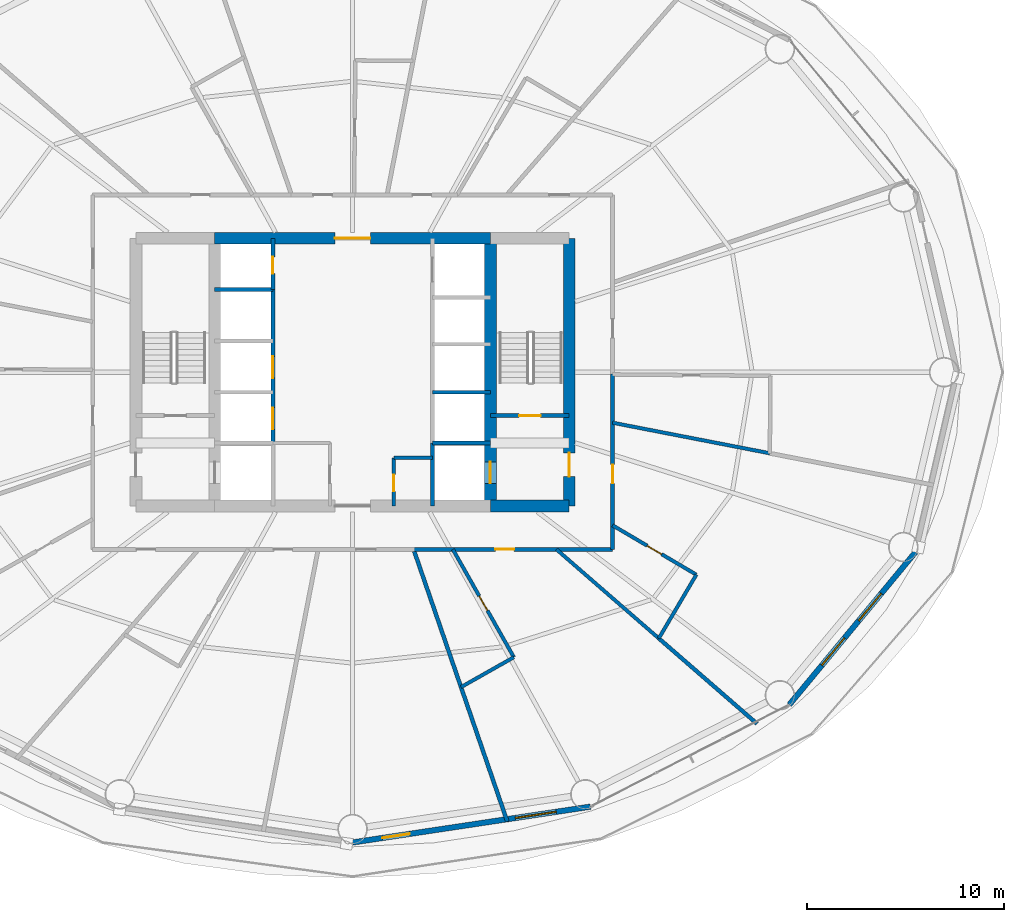
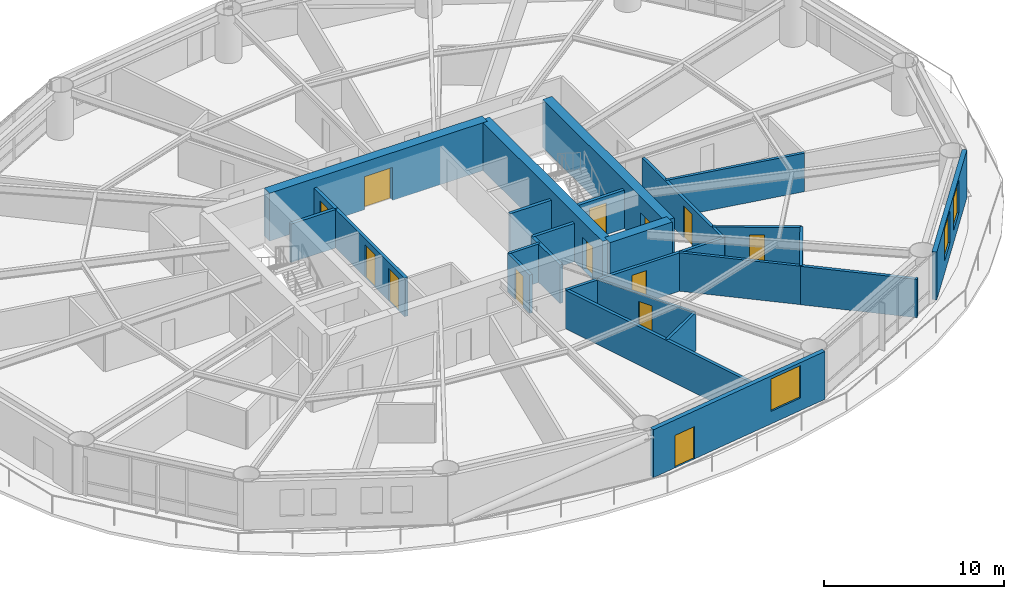
# One storey, part 22 of 27: 25 walls, 13 doors, 3 windows, 16 openings.
"""IFC4 building model written with IfcOpenShell, lengths in metres."""

from ifc_helpers import new_model, si_unit, direction, frame, frame_2d, origin, place, context, subcontext, project, spatial, rectangle, extrude, material, layer, layer_set, type_object, element, fill, save


model = new_model("IFC4")

# Units and contexts
model_context = context("Model", 3, precision=1e-05, world=origin(), true_north=direction((0.0, 1.0)))
body_context = subcontext(model_context, "Body", "Model", "MODEL_VIEW")
ifc_project = project(units=[si_unit("LENGTHUNIT", "METRE"), si_unit("AREAUNIT", "SQUARE_METRE"), si_unit("VOLUMEUNIT", "CUBIC_METRE"), si_unit("PLANEANGLEUNIT", "RADIAN"), si_unit("MASSUNIT", "GRAM", prefix="KILO")], contexts=[model_context])

# Site, building, storey
site_placement = place(None, origin())
site = spatial("IfcSite", under=ifc_project, at=site_placement, CompositionType="ELEMENT")
building_placement = place(site_placement, origin())
building = spatial("IfcBuilding", under=site, at=building_placement, Name="Sarneth Arch Tower", CompositionType="ELEMENT")
storey_placement = place(building_placement, frame((0.0, 0.0, 75.0)))
storey = spatial("IfcBuildingStorey", under=building, at=storey_placement, Name="L18", CompositionType="ELEMENT", Elevation=75.0)

# Wall
ifc_material_1 = material(Name="Concrete C60/75", Category="concrete")
ifc_layer_1 = layer(ifc_material_1, 0.60009765625)
ifc_layer_set_1 = layer_set([ifc_layer_1], Name="Concrete C60/75")
wall_type_1 = type_object("IfcWallType", Name="WALL-CORE-600", PredefinedType="SHEAR", material=ifc_layer_set_1)
wall_1_placement = place(storey_placement, frame((55.0, 35.199951171875, 0.0), z_axis=(0.0, 0.0, 1.0), x_axis=(1.0, 0.0, 0.0)))
element("IfcWall", 1, at=wall_1_placement, inside=storey, type_object=wall_type_1, Name="L18 Core shear wall S-E", PredefinedType="SHEAR", context=body_context, shape_type="SweptSolid", body=[
    extrude(rectangle(XDim=4.0, YDim=0.60009765625, at=frame_2d((2.0, 0.0))), origin(), (0.0, 0.0, 1.0), 3.25),
])

# Wall, opening, door
wall_2_placement = place(storey_placement, frame((41.0, 48.800048828125, 0.0), z_axis=(0.0, 0.0, 1.0), x_axis=(1.0, 0.0, 0.0)))
wall_2 = element("IfcWall", 2, at=wall_2_placement, inside=storey, type_object=wall_type_1, Name="L18 Core shear wall N-M", PredefinedType="SHEAR", context=body_context, shape_type="SweptSolid", body=[
    extrude(rectangle(XDim=14.0, YDim=0.60009765625, at=frame_2d((7.0, 0.0))), origin(), (0.0, 0.0, 1.0), 3.25),
])
opening_1_placement = place(wall_2_placement, frame((6.10009765625, 0.0, 0.0)))
opening_1 = element("IfcOpeningElement", 3, at=opening_1_placement, cuts=wall_2, Name="Opening FD-01", PredefinedType="OPENING", context=body_context, shape_type="SweptSolid", body=[
    extrude(rectangle(XDim=1.800048828125, YDim=2.25, at=frame_2d((0.89990234375, 1.125))), frame((0.0, 0.31005859375, 0.0), z_axis=(0.0, -1.0, 0.0), x_axis=(1.0, 0.0, 0.0)), (0.0, 0.0, 1.0), 0.6201171875),
])
ifc_material_2 = material(Name="Galvanised Steel S275 fire door set", Category="steel")
door_type_1 = type_object("IfcDoorType", Name="DR-FD90-1800", OperationType="DOUBLE_DOOR_SINGLE_SWING", PredefinedType="DOOR", material=ifc_material_2)
door_1_placement = place(opening_1_placement, origin())
door_1 = element("IfcDoor", 4, at=door_1_placement, inside=storey, type_object=door_type_1, Name="L18 Central lift lobby north door", OperationType="DOUBLE_DOOR_SINGLE_SWING", OverallHeight=2.25, OverallWidth=1.800048828125, PredefinedType="DOOR", context=body_context, shape_type="SweptSolid", body=[
    extrude(rectangle(XDim=1.800048828125, YDim=2.25, at=frame_2d((0.89990234375, 1.125))), frame((0.0, 0.02490234375, 0.0), z_axis=(0.0, -1.0, 0.0), x_axis=(1.0, 0.0, 0.0)), (0.0, 0.0, 1.0), 0.050048828125),
])
fill(opening_1, door_1)

wall_3_placement = place(storey_placement, frame((59.0, 35.199951171875, 0.0), z_axis=(0.0, 0.0, 1.0), x_axis=(0.0, 1.0, 0.0)))
wall_3 = element("IfcWall", 5, at=wall_3_placement, inside=storey, type_object=wall_type_1, Name="L18 Core shear wall E", PredefinedType="SHEAR", context=body_context, shape_type="SweptSolid", body=[
    extrude(rectangle(XDim=13.60009765625, YDim=0.60009765625, at=frame_2d((6.800048828125, 0.0))), origin(), (0.0, 0.0, 1.0), 3.25),
])
opening_2_placement = place(wall_3_placement, frame((1.5, 0.0, 0.0)))
opening_2 = element("IfcOpeningElement", 6, at=opening_2_placement, cuts=wall_3, Name="Opening FD-02", PredefinedType="OPENING", context=body_context, shape_type="SweptSolid", body=[
    extrude(rectangle(XDim=1.199951171875, YDim=2.14990234375, at=frame_2d((0.60009765625, 1.074951171875))), frame((0.0, 0.31005859375, 0.0), z_axis=(0.0, -1.0, 0.0), x_axis=(1.0, 0.0, 0.0)), (0.0, 0.0, 1.0), 0.6201171875),
])
ifc_material_3 = material(Name="Galvanised Steel S275 fire door set", Category="steel")
door_type_2 = type_object("IfcDoorType", Name="DR-FD90-1200", OperationType="SINGLE_SWING_LEFT", PredefinedType="DOOR", material=ifc_material_3)
door_2_placement = place(opening_2_placement, origin())
door_2 = element("IfcDoor", 7, at=door_2_placement, inside=storey, type_object=door_type_2, Name="L18 Firefighting lobby 2 exit door", OperationType="SINGLE_SWING_RIGHT", OverallHeight=2.14990234375, OverallWidth=1.199951171875, PredefinedType="DOOR", context=body_context, shape_type="SweptSolid", body=[
    extrude(rectangle(XDim=1.199951171875, YDim=2.14990234375, at=frame_2d((0.60009765625, 1.074951171875))), frame((0.0, 0.02490234375, 0.0), z_axis=(0.0, -1.0, 0.0), x_axis=(1.0, 0.0, 0.0)), (0.0, 0.0, 1.0), 0.050048828125),
])
fill(opening_2, door_2)

wall_4_placement = place(storey_placement, frame((55.0, 35.199951171875, 0.0), z_axis=(0.0, 0.0, 1.0), x_axis=(0.0, 1.0, 0.0)))
wall_4 = element("IfcWall", 8, at=wall_4_placement, inside=storey, type_object=wall_type_1, Name="L18 Core shear wall WEB-E", PredefinedType="SHEAR", context=body_context, shape_type="SweptSolid", body=[
    extrude(rectangle(XDim=13.60009765625, YDim=0.60009765625, at=frame_2d((6.800048828125, 0.0))), origin(), (0.0, 0.0, 1.0), 3.25),
])
opening_3_placement = place(wall_4_placement, frame((1.14990234375, 0.0, 0.0)))
opening_3 = element("IfcOpeningElement", 9, at=opening_3_placement, cuts=wall_4, Name="Opening LD-1", PredefinedType="OPENING", context=body_context, shape_type="SweptSolid", body=[
    extrude(rectangle(XDim=1.10009765625, YDim=2.199951171875, at=frame_2d((0.550048828125, 1.10009765625))), frame((0.0, 0.31005859375, 0.0), z_axis=(0.0, -1.0, 0.0), x_axis=(1.0, 0.0, 0.0)), (0.0, 0.0, 1.0), 0.6201171875),
])
ifc_material_4 = material(Name="Brushed Stainless Steel 304 lift landing door", Category="steel")
door_type_3 = type_object("IfcDoorType", Name="DR-LIFT-SLIDE-1100", OperationType="SLIDING_TO_LEFT", PredefinedType="DOOR", material=ifc_material_4)
door_3_placement = place(opening_3_placement, origin())
door_3 = element("IfcDoor", 10, at=door_3_placement, inside=storey, type_object=door_type_3, Name="L18 Firefighting lift landing door FL-2", OperationType="SLIDING_TO_RIGHT", OverallHeight=2.199951171875, OverallWidth=1.10009765625, PredefinedType="DOOR", context=body_context, shape_type="SweptSolid", body=[
    extrude(rectangle(XDim=1.10009765625, YDim=2.199951171875, at=frame_2d((0.550048828125, 1.10009765625))), frame((0.0, 0.02490234375, 0.0), z_axis=(0.0, -1.0, 0.0), x_axis=(1.0, 0.0, 0.0)), (0.0, 0.0, 1.0), 0.050048828125),
])
fill(opening_3, door_3)

ifc_material_5 = material(Name="Double steel-stud corridor fire wall", Category="steel")
ifc_layer_2 = layer(ifc_material_5, 0.18994140625)
ifc_layer_set_2 = layer_set([ifc_layer_2], Name="Double steel-stud corridor fire wall")
wall_type_2 = type_object("IfcWallType", Name="WALL-CORR-190", PredefinedType="PARTITIONING", material=ifc_layer_set_2)
wall_5_placement = place(storey_placement, frame((61.199951171875, 33.0, 0.0), z_axis=(0.0, 0.0, 1.0), x_axis=(-1.0, 0.0, 0.0)))
wall_5 = element("IfcWall", 11, at=wall_5_placement, inside=storey, type_object=wall_type_2, Name="L18 Interior partition W-L18-TP-019", PredefinedType="PARTITIONING", context=body_context, shape_type="SweptSolid", body=[
    extrude(rectangle(XDim=10.134765625, YDim=0.18994140625, at=frame_2d((5.0673828125, 0.0))), origin(), (0.0, 0.0, 1.0), 2.610107421875),
])
opening_4_placement = place(wall_5_placement, frame((4.996337890625, 0.0, 0.0)))
opening_4 = element("IfcOpeningElement", 12, at=opening_4_placement, cuts=wall_5, Name="Opening FD-09", PredefinedType="OPENING", context=body_context, shape_type="SweptSolid", body=[
    extrude(rectangle(XDim=0.949951171875, YDim=2.14990234375, at=frame_2d((0.47509765625, 1.074951171875))), frame((0.0, 0.10498046875, 0.0), z_axis=(0.0, -1.0, 0.0), x_axis=(1.0, 0.0, 0.0)), (0.0, 0.0, 1.0), 0.2099609375),
])
ifc_material_6 = material(Name="Hardwood timber hotel entrance fire door", Category="wood")
door_type_4 = type_object("IfcDoorType", Name="DR-FD60-950", OperationType="SINGLE_SWING_RIGHT", PredefinedType="DOOR", material=ifc_material_6)
door_4_placement = place(opening_4_placement, origin())
door_4 = element("IfcDoor", 13, at=door_4_placement, inside=storey, type_object=door_type_4, Name="L18 Interior door DR-L18-KEY-10", OperationType="SINGLE_SWING_LEFT", OverallHeight=2.14990234375, OverallWidth=0.949951171875, PredefinedType="DOOR", context=body_context, shape_type="SweptSolid", body=[
    extrude(rectangle(XDim=0.949951171875, YDim=2.14990234375, at=frame_2d((0.47509765625, 1.074951171875))), frame((0.0, 0.02490234375, 0.0), z_axis=(0.0, -1.0, 0.0), x_axis=(1.0, 0.0, 0.0)), (0.0, 0.0, 1.0), 0.050048828125),
])
fill(opening_4, door_4)

wall_6_placement = place(storey_placement, frame((61.199951171875, 41.916748046875, 0.0), z_axis=(0.0, 0.0, 1.0), x_axis=(0.0, -1.0, 0.0)))
wall_6 = element("IfcWall", 14, at=wall_6_placement, inside=storey, type_object=wall_type_2, Name="L18 Interior partition W-L18-TP-021", PredefinedType="PARTITIONING", context=body_context, shape_type="SweptSolid", body=[
    extrude(rectangle(XDim=8.916748046875, YDim=0.18994140625, at=frame_2d((4.45849609375, 0.0))), origin(), (0.0, 0.0, 1.0), 2.610107421875),
])
opening_5_placement = place(wall_6_placement, frame((4.614501953125, 0.0, 0.0)))
opening_5 = element("IfcOpeningElement", 15, at=opening_5_placement, cuts=wall_6, Name="Opening FD-09", PredefinedType="OPENING", context=body_context, shape_type="SweptSolid", body=[
    extrude(rectangle(XDim=0.949951171875, YDim=2.14990234375, at=frame_2d((0.47509765625, 1.074951171875))), frame((0.0, 0.10498046875, 0.0), z_axis=(0.0, -1.0, 0.0), x_axis=(1.0, 0.0, 0.0)), (0.0, 0.0, 1.0), 0.2099609375),
])
door_5_placement = place(opening_5_placement, origin())
door_5 = element("IfcDoor", 16, at=door_5_placement, inside=storey, type_object=door_type_4, Name="L18 Interior door DR-L18-KEY-11", OperationType="SINGLE_SWING_LEFT", OverallHeight=2.14990234375, OverallWidth=0.949951171875, PredefinedType="DOOR", context=body_context, shape_type="SweptSolid", body=[
    extrude(rectangle(XDim=0.949951171875, YDim=2.14990234375, at=frame_2d((0.47509765625, 1.074951171875))), frame((0.0, 0.02490234375, 0.0), z_axis=(0.0, -1.0, 0.0), x_axis=(1.0, 0.0, 0.0)), (0.0, 0.0, 1.0), 0.050048828125),
])
fill(opening_5, door_5)

# Wall, openings, door, window
ifc_material_7 = material(Name="Extruded terracotta rainscreen on Concrete C40/50 backing", Category="masonry")
ifc_layer_3 = layer(ifc_material_7, 0.280029296875)
ifc_layer_set_3 = layer_set([ifc_layer_3], Name="Extruded terracotta rainscreen on Concrete C40/50 backing")
wall_type_3 = type_object("IfcWallType", Name="WALL-EXT-TERRA-280", PredefinedType="SOLIDWALL", material=ifc_layer_set_3)
wall_7_placement = place(storey_placement, frame((48.0, 18.1201171875, 0.0), z_axis=(0.0, 0.0, 1.0), x_axis=(0.988864835849, 0.148816452121, 0.0)))
wall_7 = element("IfcWall", 17, at=wall_7_placement, inside=storey, type_object=wall_type_3, Name="L18 Terracotta perimeter wall 13", PredefinedType="SOLIDWALL", context=body_context, shape_type="SweptSolid", body=[
    extrude(rectangle(XDim=12.2138671875, YDim=0.280029296875, at=frame_2d((6.10693359375, 0.0))), origin(), (0.0, 0.0, 1.0), 3.25),
])
opening_6_placement = place(wall_7_placement, frame((1.53125, 0.0, 0.0)))
opening_6 = element("IfcOpeningElement", 18, at=opening_6_placement, cuts=wall_7, Name="Opening BD-2", PredefinedType="OPENING", context=body_context, shape_type="SweptSolid", body=[
    extrude(rectangle(XDim=1.39990234375, YDim=2.199951171875, at=frame_2d((0.699951171875, 1.10009765625))), frame((0.0, 0.14990234375, 0.0), z_axis=(0.0, -1.0, 0.0), x_axis=(1.0, 0.0, 0.0)), (0.0, 0.0, 1.0), 0.300048828125),
])
opening_7_placement = place(wall_7_placement, frame((8.363525390625, 0.0, 0.85009765625)))
opening_7 = element("IfcOpeningElement", 19, at=opening_7_placement, cuts=wall_7, Name="Opening W-03", PredefinedType="OPENING", context=body_context, shape_type="SweptSolid", body=[
    extrude(rectangle(XDim=2.10009765625, YDim=2.199951171875, at=frame_2d((1.050048828125, 1.10009765625))), frame((0.0, 0.14990234375, 0.0), z_axis=(0.0, -1.0, 0.0), x_axis=(1.0, 0.0, 0.0)), (0.0, 0.0, 1.0), 0.300048828125),
])
ifc_material_8 = material(Name="Thermally broken Aluminium 6063-T6 and laminated safety glass", Category="aluminium")
door_type_5 = type_object("IfcDoorType", Name="DR-BALC-GLZ-1400", OperationType="SINGLE_SWING_LEFT", PredefinedType="DOOR", material=ifc_material_8)
door_6_placement = place(opening_6_placement, origin())
door_6 = element("IfcDoor", 20, at=door_6_placement, inside=storey, type_object=door_type_5, Name="L18 Balcony glazed door 13", OperationType="SINGLE_SWING_LEFT", OverallHeight=2.199951171875, OverallWidth=1.39990234375, PredefinedType="DOOR", context=body_context, shape_type="SweptSolid", body=[
    extrude(rectangle(XDim=1.39990234375, YDim=2.199951171875, at=frame_2d((0.699951171875, 1.10009765625))), frame((0.0, 0.02490234375, 0.0), z_axis=(0.0, -1.0, 0.0), x_axis=(1.0, 0.0, 0.0)), (0.0, 0.0, 1.0), 0.050048828125),
])
fill(opening_6, door_6)
ifc_material_9 = material(Name="Thermally broken Aluminium 6063-T6 and low-e laminated IGU", Category="aluminium")
window_type_1 = type_object("IfcWindowType", Name="WIN-TWR-2100x2200", PartitioningType="DOUBLE_PANEL_VERTICAL", PredefinedType="WINDOW", material=ifc_material_9)
window_1_placement = place(opening_7_placement, origin())
window_1 = element("IfcWindow", 21, at=window_1_placement, inside=storey, type_object=window_type_1, Name="L18 Exterior window 13A", OverallHeight=2.199951171875, OverallWidth=2.10009765625, PartitioningType="SINGLE_PANEL", PredefinedType="WINDOW", context=body_context, shape_type="SweptSolid", body=[
    extrude(rectangle(XDim=2.10009765625, YDim=2.199951171875, at=frame_2d((1.050048828125, 1.10009765625))), frame((0.0, 0.030029296875, 0.0), z_axis=(0.0, -1.0, 0.0), x_axis=(1.0, 0.0, 0.0)), (0.0, 0.0, 1.0), 0.06005859375),
])
fill(opening_7, window_1)

# Wall, openings, windows
wall_8_placement = place(storey_placement, frame((70.174072265625, 25.1142578125, 0.0), z_axis=(0.0, 0.0, 1.0), x_axis=(0.637296809613, 0.770618437657, 0.0)))
wall_8 = element("IfcWall", 22, at=wall_8_placement, inside=storey, type_object=wall_type_3, Name="L18 Terracotta perimeter wall 15", PredefinedType="SOLIDWALL", context=body_context, shape_type="SweptSolid", body=[
    extrude(rectangle(XDim=10.053466796875, YDim=0.280029296875, at=frame_2d((5.02685546875, 0.0))), origin(), (0.0, 0.0, 1.0), 3.25),
])
opening_8_placement = place(wall_8_placement, frame((2.597900390625, 0.0, 0.85009765625)))
opening_8 = element("IfcOpeningElement", 23, at=opening_8_placement, cuts=wall_8, Name="Opening W-04", PredefinedType="OPENING", context=body_context, shape_type="SweptSolid", body=[
    extrude(rectangle(XDim=1.800048828125, YDim=2.199951171875, at=frame_2d((0.89990234375, 1.10009765625))), frame((0.0, 0.14990234375, 0.0), z_axis=(0.0, -1.0, 0.0), x_axis=(1.0, 0.0, 0.0)), (0.0, 0.0, 1.0), 0.300048828125),
])
opening_9_placement = place(wall_8_placement, frame((5.52978515625, 0.0, 0.85009765625)))
opening_9 = element("IfcOpeningElement", 24, at=opening_9_placement, cuts=wall_8, Name="Opening W-04", PredefinedType="OPENING", context=body_context, shape_type="SweptSolid", body=[
    extrude(rectangle(XDim=1.800048828125, YDim=2.199951171875, at=frame_2d((0.89990234375, 1.10009765625))), frame((0.0, 0.14990234375, 0.0), z_axis=(0.0, -1.0, 0.0), x_axis=(1.0, 0.0, 0.0)), (0.0, 0.0, 1.0), 0.300048828125),
])
ifc_material_10 = material(Name="Thermally broken Aluminium 6063-T6 and low-e laminated IGU", Category="aluminium")
window_type_2 = type_object("IfcWindowType", Name="WIN-TWR-1800x2200", PartitioningType="DOUBLE_PANEL_VERTICAL", PredefinedType="WINDOW", material=ifc_material_10)
window_2_placement = place(opening_8_placement, origin())
window_2 = element("IfcWindow", 25, at=window_2_placement, inside=storey, type_object=window_type_2, Name="L18 Exterior window 15A", OverallHeight=2.199951171875, OverallWidth=1.800048828125, PartitioningType="SINGLE_PANEL", PredefinedType="WINDOW", context=body_context, shape_type="SweptSolid", body=[
    extrude(rectangle(XDim=1.800048828125, YDim=2.199951171875, at=frame_2d((0.89990234375, 1.10009765625))), frame((0.0, 0.030029296875, 0.0), z_axis=(0.0, -1.0, 0.0), x_axis=(1.0, 0.0, 0.0)), (0.0, 0.0, 1.0), 0.06005859375),
])
fill(opening_8, window_2)
window_3_placement = place(opening_9_placement, origin())
window_3 = element("IfcWindow", 26, at=window_3_placement, inside=storey, type_object=window_type_2, Name="L18 Exterior window 15B", OverallHeight=2.199951171875, OverallWidth=1.800048828125, PartitioningType="SINGLE_PANEL", PredefinedType="WINDOW", context=body_context, shape_type="SweptSolid", body=[
    extrude(rectangle(XDim=1.800048828125, YDim=2.199951171875, at=frame_2d((0.89990234375, 1.10009765625))), frame((0.0, 0.030029296875, 0.0), z_axis=(0.0, -1.0, 0.0), x_axis=(1.0, 0.0, 0.0)), (0.0, 0.0, 1.0), 0.06005859375),
])
fill(opening_9, window_3)

# Wall
ifc_material_11 = material(Name="Moisture-resistant plumbing chase wall", Category="gypsum")
ifc_layer_4 = layer(ifc_material_11, 0.179931640625)
ifc_layer_set_4 = layer_set([ifc_layer_4], Name="Moisture-resistant plumbing chase wall")
wall_type_4 = type_object("IfcWallType", Name="WALL-PLUMB-180", PredefinedType="PLUMBINGWALL", material=ifc_layer_set_4)
wall_9_placement = place(storey_placement, frame((50.10009765625, 37.64990234375, 0.0), z_axis=(0.0, 0.0, 1.0), x_axis=(1.0, 0.0, 0.0)))
element("IfcWall", 27, at=wall_9_placement, inside=storey, type_object=wall_type_4, Name="L18 Interior partition W-L18-AWC-N", PredefinedType="PLUMBINGWALL", context=body_context, shape_type="SweptSolid", body=[
    extrude(rectangle(XDim=1.949951171875, YDim=0.179931640625, at=frame_2d((0.97509765625, 0.0))), origin(), (0.0, 0.0, 1.0), 2.610107421875),
])

# Wall, opening, door
wall_10_placement = place(storey_placement, frame((50.10009765625, 35.199951171875, 0.0), z_axis=(0.0, 0.0, 1.0), x_axis=(0.0, 1.0, 0.0)))
wall_10 = element("IfcWall", 28, at=wall_10_placement, inside=storey, type_object=wall_type_4, Name="L18 Interior partition W-L18-AWC-W", PredefinedType="PLUMBINGWALL", context=body_context, shape_type="SweptSolid", body=[
    extrude(rectangle(XDim=2.449951171875, YDim=0.179931640625, at=frame_2d((1.22509765625, 0.0))), origin(), (0.0, 0.0, 1.0), 2.610107421875),
])
opening_10_placement = place(wall_10_placement, frame((0.75, 0.0, 0.0)))
opening_10 = element("IfcOpeningElement", 29, at=opening_10_placement, cuts=wall_10, Name="Opening ID-02", PredefinedType="OPENING", context=body_context, shape_type="SweptSolid", body=[
    extrude(rectangle(XDim=0.85009765625, YDim=2.10009765625, at=frame_2d((0.425048828125, 1.050048828125))), frame((0.0, 0.099853515625, 0.0), z_axis=(0.0, -1.0, 0.0), x_axis=(1.0, 0.0, 0.0)), (0.0, 0.0, 1.0), 0.199951171875),
])
ifc_material_12 = material(Name="Moisture-resistant bathroom timber door", Category="wood")
door_type_6 = type_object("IfcDoorType", Name="DR-INT-850", OperationType="SINGLE_SWING_RIGHT", PredefinedType="DOOR", material=ifc_material_12)
door_7_placement = place(opening_10_placement, origin())
door_7 = element("IfcDoor", 30, at=door_7_placement, inside=storey, type_object=door_type_6, Name="L18 Interior door DR-L18-AWC", OperationType="SINGLE_SWING_RIGHT", OverallHeight=2.10009765625, OverallWidth=0.85009765625, PredefinedType="DOOR", context=body_context, shape_type="SweptSolid", body=[
    extrude(rectangle(XDim=0.85009765625, YDim=2.10009765625, at=frame_2d((0.425048828125, 1.050048828125))), frame((0.0, 0.02490234375, 0.0), z_axis=(0.0, -1.0, 0.0), x_axis=(1.0, 0.0, 0.0)), (0.0, 0.0, 1.0), 0.050048828125),
])
fill(opening_10, door_7)

# Walls
wall_11_placement = place(storey_placement, frame((69.185302734375, 37.882080078125, 0.0), z_axis=(0.0, 0.0, 1.0), x_axis=(-0.981631630513, 0.190786115787, 0.0)))
element("IfcWall", 31, at=wall_11_placement, inside=storey, type_object=wall_type_4, Name="L18 Interior partition W-L18-TP-062", PredefinedType="PLUMBINGWALL", context=body_context, shape_type="SweptSolid", body=[
    extrude(rectangle(XDim=8.134765625, YDim=0.179931640625, at=frame_2d((4.0673828125, 0.0))), origin(), (0.0, 0.0, 1.0), 2.610107421875),
])
wall_12_placement = place(storey_placement, frame((63.548583984375, 28.483642578125, 0.0), z_axis=(0.0, 0.0, 1.0), x_axis=(-0.754699426586, 0.65607070923, 0.0)))
element("IfcWall", 32, at=wall_12_placement, inside=storey, type_object=wall_type_4, Name="L18 Interior partition W-L18-TP-058", PredefinedType="PLUMBINGWALL", context=body_context, shape_type="SweptSolid", body=[
    extrude(rectangle(XDim=6.884033203125, YDim=0.179931640625, at=frame_2d((3.44189453125, 0.0))), origin(), (0.0, 0.0, 1.0), 2.610107421875),
])

# Wall, opening, door
wall_13_placement = place(storey_placement, frame((56.188720703125, 27.526611328125, 0.0), z_axis=(0.0, 0.0, 1.0), x_axis=(-0.492421798109, 0.870356692826, 0.0)))
wall_13 = element("IfcWall", 33, at=wall_13_placement, inside=storey, type_object=wall_type_4, Name="L18 Interior partition W-L18-TP-056", PredefinedType="PLUMBINGWALL", context=body_context, shape_type="SweptSolid", body=[
    extrude(rectangle(XDim=6.28857421875, YDim=0.179931640625, at=frame_2d((3.144287109375, 0.0))), origin(), (0.0, 0.0, 1.0), 2.610107421875),
])
opening_11_placement = place(wall_13_placement, frame((2.719482421875, 0.0, 0.0)))
opening_11 = element("IfcOpeningElement", 34, at=opening_11_placement, cuts=wall_13, Name="Opening ID-02", PredefinedType="OPENING", context=body_context, shape_type="SweptSolid", body=[
    extrude(rectangle(XDim=0.85009765625, YDim=2.10009765625, at=frame_2d((0.425048828125, 1.050048828125))), frame((0.0, 0.099853515625, 0.0), z_axis=(0.0, -1.0, 0.0), x_axis=(1.0, 0.0, 0.0)), (0.0, 0.0, 1.0), 0.199951171875),
])
door_8_placement = place(opening_11_placement, origin())
door_8 = element("IfcDoor", 35, at=door_8_placement, inside=storey, type_object=door_type_6, Name="L18 Interior door DR-L18-ENS-10", OperationType="SINGLE_SWING_LEFT", OverallHeight=2.10009765625, OverallWidth=0.85009765625, PredefinedType="DOOR", context=body_context, shape_type="SweptSolid", body=[
    extrude(rectangle(XDim=0.85009765625, YDim=2.10009765625, at=frame_2d((0.425048828125, 1.050048828125))), frame((0.0, 0.02490234375, 0.0), z_axis=(0.0, -1.0, 0.0), x_axis=(1.0, 0.0, 0.0)), (0.0, 0.0, 1.0), 0.050048828125),
])
fill(opening_11, door_8)

wall_14_placement = place(storey_placement, frame((61.199951171875, 34.224609375, 0.0), z_axis=(0.0, 0.0, 1.0), x_axis=(0.861622640197, -0.507549431977, 0.0)))
wall_14 = element("IfcWall", 36, at=wall_14_placement, inside=storey, type_object=wall_type_4, Name="L18 Interior partition W-L18-TP-059", PredefinedType="PLUMBINGWALL", context=body_context, shape_type="SweptSolid", body=[
    extrude(rectangle(XDim=4.937744140625, YDim=0.179931640625, at=frame_2d((2.46875, 0.0))), origin(), (0.0, 0.0, 1.0), 2.610107421875),
])
opening_12_placement = place(wall_14_placement, frame((2.043701171875, 0.0, 0.0)))
opening_12 = element("IfcOpeningElement", 37, at=opening_12_placement, cuts=wall_14, Name="Opening ID-02", PredefinedType="OPENING", context=body_context, shape_type="SweptSolid", body=[
    extrude(rectangle(XDim=0.85009765625, YDim=2.10009765625, at=frame_2d((0.425048828125, 1.050048828125))), frame((0.0, 0.099853515625, 0.0), z_axis=(0.0, -1.0, 0.0), x_axis=(1.0, 0.0, 0.0)), (0.0, 0.0, 1.0), 0.199951171875),
])
door_9_placement = place(opening_12_placement, origin())
door_9 = element("IfcDoor", 38, at=door_9_placement, inside=storey, type_object=door_type_6, Name="L18 Interior door DR-L18-ENS-11", OperationType="SINGLE_SWING_LEFT", OverallHeight=2.10009765625, OverallWidth=0.85009765625, PredefinedType="DOOR", context=body_context, shape_type="SweptSolid", body=[
    extrude(rectangle(XDim=0.85009765625, YDim=2.10009765625, at=frame_2d((0.425048828125, 1.050048828125))), frame((0.0, 0.02490234375, 0.0), z_axis=(0.0, -1.0, 0.0), x_axis=(1.0, 0.0, 0.0)), (0.0, 0.0, 1.0), 0.050048828125),
])
fill(opening_12, door_9)

# Walls
wall_15_placement = place(storey_placement, frame((65.454345703125, 31.718505859375, 0.0), z_axis=(0.0, 0.0, 1.0), x_axis=(-0.507594049508, -0.861596356134, 0.0)))
element("IfcWall", 39, at=wall_15_placement, inside=storey, type_object=wall_type_4, Name="L18 Interior partition W-L18-TP-060", PredefinedType="PLUMBINGWALL", context=body_context, shape_type="SweptSolid", body=[
    extrude(rectangle(XDim=3.75439453125, YDim=0.179931640625, at=frame_2d((1.877197265625, 0.0))), origin(), (0.0, 0.0, 1.0), 2.610107421875),
])
wall_16_placement = place(storey_placement, frame((53.506103515625, 26.0087890625, 0.0), z_axis=(0.0, 0.0, 1.0), x_axis=(0.87034589465, 0.492440883422, 0.0)))
element("IfcWall", 40, at=wall_16_placement, inside=storey, type_object=wall_type_4, Name="L18 Interior partition W-L18-TP-055", PredefinedType="PLUMBINGWALL", context=body_context, shape_type="SweptSolid", body=[
    extrude(rectangle(XDim=3.082275390625, YDim=0.179931640625, at=frame_2d((1.541015625, 0.0))), origin(), (0.0, 0.0, 1.0), 2.610107421875),
])

# Wall, opening, door
ifc_material_13 = material(Name="Aerated concrete blockwork C25/30", Category="masonry")
ifc_layer_5 = layer(ifc_material_13, 0.199951171875)
ifc_layer_set_5 = layer_set([ifc_layer_5], Name="Aerated concrete blockwork C25/30")
wall_type_5 = type_object("IfcWallType", Name="WALL-SHAFT-200", PredefinedType="SOLIDWALL", material=ifc_layer_set_5)
wall_17_placement = place(storey_placement, frame((55.0, 39.800048828125, 0.0), z_axis=(0.0, 0.0, 1.0), x_axis=(1.0, 0.0, 0.0)))
wall_17 = element("IfcWall", 41, at=wall_17_placement, inside=storey, type_object=wall_type_5, Name="L18 Interior partition W-L18-ST2-S", PredefinedType="SOLIDWALL", context=body_context, shape_type="SweptSolid", body=[
    extrude(rectangle(XDim=4.0, YDim=0.199951171875, at=frame_2d((2.0, 0.0))), origin(), (0.0, 0.0, 1.0), 2.610107421875),
])
opening_13_placement = place(wall_17_placement, frame((1.449951171875, 0.0, 0.0)))
opening_13 = element("IfcOpeningElement", 42, at=opening_13_placement, cuts=wall_17, Name="Opening FD-03", PredefinedType="OPENING", context=body_context, shape_type="SweptSolid", body=[
    extrude(rectangle(XDim=1.10009765625, YDim=2.14990234375, at=frame_2d((0.550048828125, 1.074951171875))), frame((0.0, 0.10986328125, 0.0), z_axis=(0.0, -1.0, 0.0), x_axis=(1.0, 0.0, 0.0)), (0.0, 0.0, 1.0), 0.219970703125),
])
ifc_material_14 = material(Name="Galvanised Steel S275 fire door set", Category="steel")
door_type_7 = type_object("IfcDoorType", Name="DR-FD90-1100", OperationType="SINGLE_SWING_LEFT", PredefinedType="DOOR", material=ifc_material_14)
door_10_placement = place(opening_13_placement, origin())
door_10 = element("IfcDoor", 43, at=door_10_placement, inside=storey, type_object=door_type_7, Name="L18 Interior door DR-L18-ST2", OperationType="SINGLE_SWING_RIGHT", OverallHeight=2.14990234375, OverallWidth=1.10009765625, PredefinedType="DOOR", context=body_context, shape_type="SweptSolid", body=[
    extrude(rectangle(XDim=1.10009765625, YDim=2.14990234375, at=frame_2d((0.550048828125, 1.074951171875))), frame((0.0, 0.02490234375, 0.0), z_axis=(0.0, -1.0, 0.0), x_axis=(1.0, 0.0, 0.0)), (0.0, 0.0, 1.0), 0.050048828125),
])
fill(opening_13, door_10)

# Walls
wall_18_placement = place(storey_placement, frame((52.050048828125, 35.199951171875, 0.0), z_axis=(0.0, 0.0, 1.0), x_axis=(0.0, 1.0, 0.0)))
element("IfcWall", 44, at=wall_18_placement, inside=storey, type_object=wall_type_5, Name="L18 Interior partition W-L18-FL2-W", PredefinedType="SOLIDWALL", context=body_context, shape_type="SweptSolid", body=[
    extrude(rectangle(XDim=3.199951171875, YDim=0.199951171875, at=frame_2d((1.60009765625, 0.0))), origin(), (0.0, 0.0, 1.0), 2.610107421875),
])
for number, where, z_axis, x_axis, name in (
    (45, (52.050048828125, 38.39990234375, 0.0), (0.0, 0.0, 1.0), (1.0, 0.0, 0.0), "L18 Interior partition W-L18-FL2-N"),
    (46, (41.0, 46.199951171875, 0.0), (0.0, 0.0, 1.0), (1.0, 0.0, 0.0), "L18 Interior partition W-L18-RISER-S"),
):
    element("IfcWall", number, at=place(storey_placement, frame(where, z_axis=z_axis, x_axis=x_axis)), inside=storey, type_object=wall_type_5, Name=name, PredefinedType="SOLIDWALL", context=body_context, shape_type="SweptSolid", body=[
        extrude(rectangle(XDim=2.949951171875, YDim=0.199951171875, at=frame_2d((1.47509765625, 0.0))), origin(), (0.0, 0.0, 1.0), 2.610107421875),
    ])

# Wall, opening, door
wall_19_placement = place(storey_placement, frame((43.949951171875, 46.199951171875, 0.0), z_axis=(0.0, 0.0, 1.0), x_axis=(0.0, 1.0, 0.0)))
wall_19 = element("IfcWall", 47, at=wall_19_placement, inside=storey, type_object=wall_type_5, Name="L18 Interior partition W-L18-RISER-E", PredefinedType="SOLIDWALL", context=body_context, shape_type="SweptSolid", body=[
    extrude(rectangle(XDim=2.60009765625, YDim=0.199951171875, at=frame_2d((1.300048828125, 0.0))), origin(), (0.0, 0.0, 1.0), 2.610107421875),
])
opening_14_placement = place(wall_19_placement, frame((0.800048828125, 0.0, 0.0)))
opening_14 = element("IfcOpeningElement", 48, at=opening_14_placement, cuts=wall_19, Name="Opening FD-11", PredefinedType="OPENING", context=body_context, shape_type="SweptSolid", body=[
    extrude(rectangle(XDim=0.85009765625, YDim=2.14990234375, at=frame_2d((0.425048828125, 1.074951171875))), frame((0.0, 0.10986328125, 0.0), z_axis=(0.0, -1.0, 0.0), x_axis=(1.0, 0.0, 0.0)), (0.0, 0.0, 1.0), 0.219970703125),
])
ifc_material_15 = material(Name="Galvanised Steel S275 closet fire door", Category="steel")
door_type_8 = type_object("IfcDoorType", Name="DR-FD60-850", OperationType="SINGLE_SWING_LEFT", PredefinedType="DOOR", material=ifc_material_15)
door_11_placement = place(opening_14_placement, origin())
door_11 = element("IfcDoor", 49, at=door_11_placement, inside=storey, type_object=door_type_8, Name="L18 Lift landing door DR-L18-RISER", OperationType="SINGLE_SWING_LEFT", OverallHeight=2.14990234375, OverallWidth=0.85009765625, PredefinedType="DOOR", context=body_context, shape_type="SweptSolid", body=[
    extrude(rectangle(XDim=0.85009765625, YDim=2.14990234375, at=frame_2d((0.425048828125, 1.074951171875))), frame((0.0, 0.02490234375, 0.0), z_axis=(0.0, -1.0, 0.0), x_axis=(1.0, 0.0, 0.0)), (0.0, 0.0, 1.0), 0.050048828125),
])
fill(opening_14, door_11)

# Wall, openings, doors
wall_20_placement = place(storey_placement, frame((43.949951171875, 38.39990234375, 0.0), z_axis=(0.0, 0.0, 1.0), x_axis=(0.0, 1.0, 0.0)))
wall_20 = element("IfcWall", 50, at=wall_20_placement, inside=storey, type_object=wall_type_5, Name="L18 Interior partition W-L18-WESTBANK-FRONT", PredefinedType="SOLIDWALL", context=body_context, shape_type="SweptSolid", body=[
    extrude(rectangle(XDim=7.800048828125, YDim=0.199951171875, at=frame_2d((3.89990234375, 0.0))), origin(), (0.0, 0.0, 1.0), 2.610107421875),
])
opening_15_placement = place(wall_20_placement, frame((0.699951171875, 0.0, 0.0)))
opening_15 = element("IfcOpeningElement", 51, at=opening_15_placement, cuts=wall_20, Name="Opening LD-1", PredefinedType="OPENING", context=body_context, shape_type="SweptSolid", body=[
    extrude(rectangle(XDim=1.10009765625, YDim=2.199951171875, at=frame_2d((0.550048828125, 1.10009765625))), frame((0.0, 0.10986328125, 0.0), z_axis=(0.0, -1.0, 0.0), x_axis=(1.0, 0.0, 0.0)), (0.0, 0.0, 1.0), 0.219970703125),
])
opening_16_placement = place(wall_20_placement, frame((3.300048828125, 0.0, 0.0)))
opening_16 = element("IfcOpeningElement", 52, at=opening_16_placement, cuts=wall_20, Name="Opening LD-1", PredefinedType="OPENING", context=body_context, shape_type="SweptSolid", body=[
    extrude(rectangle(XDim=1.10009765625, YDim=2.199951171875, at=frame_2d((0.550048828125, 1.10009765625))), frame((0.0, 0.10986328125, 0.0), z_axis=(0.0, -1.0, 0.0), x_axis=(1.0, 0.0, 0.0)), (0.0, 0.0, 1.0), 0.219970703125),
])
door_12_placement = place(opening_15_placement, origin())
door_12 = element("IfcDoor", 53, at=door_12_placement, inside=storey, type_object=door_type_3, Name="L18 Lift landing door DR-L18-LD-PL1", OperationType="SLIDING_TO_LEFT", OverallHeight=2.199951171875, OverallWidth=1.10009765625, PredefinedType="DOOR", context=body_context, shape_type="SweptSolid", body=[
    extrude(rectangle(XDim=1.10009765625, YDim=2.199951171875, at=frame_2d((0.550048828125, 1.10009765625))), frame((0.0, 0.02490234375, 0.0), z_axis=(0.0, -1.0, 0.0), x_axis=(1.0, 0.0, 0.0)), (0.0, 0.0, 1.0), 0.050048828125),
])
fill(opening_15, door_12)
door_13_placement = place(opening_16_placement, origin())
door_13 = element("IfcDoor", 54, at=door_13_placement, inside=storey, type_object=door_type_3, Name="L18 Lift landing door DR-L18-LD-PL2", OperationType="SLIDING_TO_RIGHT", OverallHeight=2.199951171875, OverallWidth=1.10009765625, PredefinedType="DOOR", context=body_context, shape_type="SweptSolid", body=[
    extrude(rectangle(XDim=1.10009765625, YDim=2.199951171875, at=frame_2d((0.550048828125, 1.10009765625))), frame((0.0, 0.02490234375, 0.0), z_axis=(0.0, -1.0, 0.0), x_axis=(1.0, 0.0, 0.0)), (0.0, 0.0, 1.0), 0.050048828125),
])
fill(opening_16, door_13)

# Walls
wall_21_placement = place(storey_placement, frame((52.050048828125, 40.97998046875, 0.0), z_axis=(0.0, 0.0, 1.0), x_axis=(1.0, 0.0, 0.0)))
element("IfcWall", 55, at=wall_21_placement, inside=storey, type_object=wall_type_5, Name="L18 Interior partition W-L18-EB-DIV-4098", PredefinedType="SOLIDWALL", context=body_context, shape_type="SweptSolid", body=[
    extrude(rectangle(XDim=2.949951171875, YDim=0.199951171875, at=frame_2d((1.47509765625, 0.0))), origin(), (0.0, 0.0, 1.0), 2.610107421875),
])
ifc_material_16 = material(Name="Double steel-stud acoustic drywall", Category="steel")
ifc_layer_6 = layer(ifc_material_16, 0.199951171875)
ifc_layer_set_6 = layer_set([ifc_layer_6], Name="Double steel-stud acoustic drywall")
wall_type_6 = type_object("IfcWallType", Name="WALL-UNIT-200", PredefinedType="PARTITIONING", material=ifc_layer_set_6)
wall_22_placement = place(storey_placement, frame((51.098876953125, 33.0, 0.0), z_axis=(0.0, 0.0, 1.0), x_axis=(0.325569992405, -0.945517942741, 0.0)))
element("IfcWall", 56, at=wall_22_placement, inside=storey, type_object=wall_type_6, Name="L18 Interior partition W-L18-TP-054", PredefinedType="PARTITIONING", context=body_context, shape_type="SweptSolid", body=[
    extrude(rectangle(XDim=14.613037109375, YDim=0.199951171875, at=frame_2d((7.306640625, 0.0))), origin(), (0.0, 0.0, 1.0), 2.610107421875),
])
wall_23_placement = place(storey_placement, frame((68.535400390625, 24.14892578125, 0.0), z_axis=(0.0, 0.0, 1.0), x_axis=(-0.754728806145, 0.656036911442, 0.0)))
element("IfcWall", 57, at=wall_23_placement, inside=storey, type_object=wall_type_6, Name="L18 Interior partition W-L18-TP-057", PredefinedType="PARTITIONING", context=body_context, shape_type="SweptSolid", body=[
    extrude(rectangle(XDim=6.607421875, YDim=0.199951171875, at=frame_2d((3.3037109375, 0.0))), origin(), (0.0, 0.0, 1.0), 2.610107421875),
])

save(model, "model.ifc")
